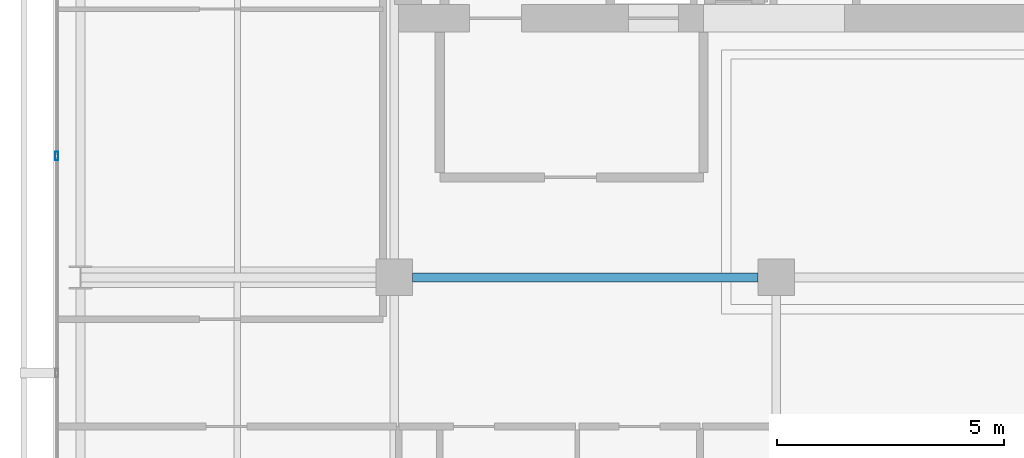
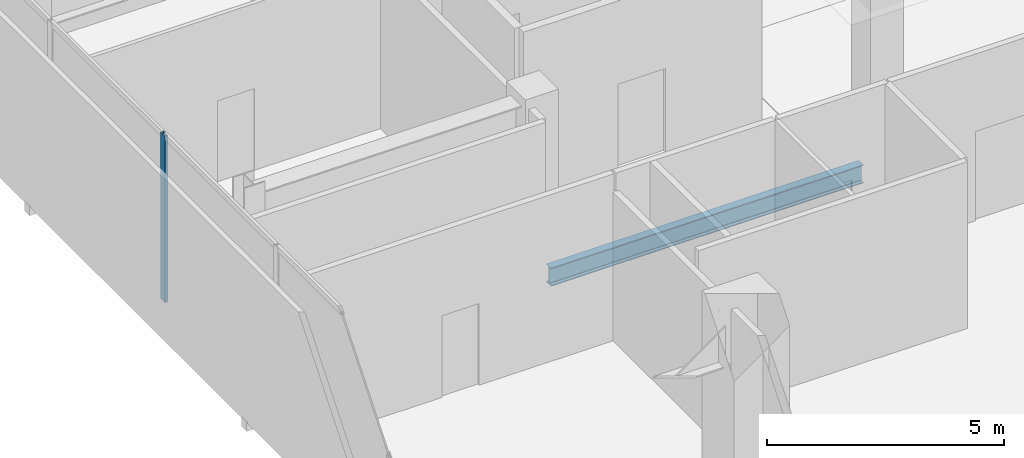
# One storey, part 8 of 23: 1 beam, 1 member, 1 element without a shape of its own.
"""IFC4 building model written with IfcOpenShell, lengths in metres."""

from ifc_helpers import new_model, si_unit, direction, frame, origin, origin_2d, place, context, subcontext, project, spatial, hollow_rectangle, i_section, extrude, material, layer, layer_set, material_profile, profile_set, type_object, element, aggregate, save


model = new_model("IFC4")

# Units and contexts
model_context = context("Model", 3, precision=1e-05, world=origin(), true_north=direction((0.0, 1.0)))
body_context = subcontext(model_context, "Body", "Model", "MODEL_VIEW")
ifc_project = project(units=[si_unit("LENGTHUNIT", "METRE"), si_unit("AREAUNIT", "SQUARE_METRE"), si_unit("VOLUMEUNIT", "CUBIC_METRE"), si_unit("PLANEANGLEUNIT", "RADIAN"), si_unit("MASSUNIT", "GRAM", prefix="KILO")], contexts=[model_context])

# Site, building, storey
site_placement = place(None, origin())
site = spatial("IfcSite", under=ifc_project, at=site_placement, CompositionType="ELEMENT")
building_placement = place(site_placement, origin())
building = spatial("IfcBuilding", under=site, at=building_placement, Name="Maruvema Waterfront Hotel and Observation Tower", CompositionType="ELEMENT")
storey_placement = place(building_placement, frame((0.0, 0.0, 349.64990234375)))
storey = spatial("IfcBuildingStorey", under=building, at=storey_placement, Name="L86", CompositionType="ELEMENT", Elevation=349.64990234375)

# Curtain wall, member
ifc_material_1 = material(Name="Anodised bronze aluminium and solar-control low-E IGU", Category="aluminium")
ifc_layer = layer(ifc_material_1, 0.159912109375, Name="Observation Crown Structural Glazed Curtain Wall System CW-06")
ifc_layer_set = layer_set([ifc_layer], Name="Anodised bronze aluminium and solar-control low-E IGU")
curtain_wall_type = type_object("IfcCurtainWallType", Name="Observation Crown Structural Glazed Curtain Wall System CW-06", PredefinedType="USERDEFINED", material=ifc_layer_set)
curtain_wall_placement = place(storey_placement, origin())
curtain_wall = element("IfcCurtainWall", 1, at=curtain_wall_placement, inside=storey, type_object=curtain_wall_type, Name="L86 Curtain Wall CW-L86-W", ObjectType="UNITISED CURTAIN WALL", PredefinedType="USERDEFINED")
ifc_material_2 = material(Name="Anodised architectural bronze aluminium", Category="aluminium")
ifc_material_profile_1 = material_profile(ifc_material_2, hollow_rectangle(XDim=0.070068359375, YDim=0.18994140625, WallThickness=0.00390625, at=origin_2d()), Name="ALU-M70x190")
ifc_profile_set_1 = profile_set([ifc_material_profile_1], Name="Anodised architectural bronze aluminium")
member_type = type_object("IfcMemberType", Name="Podium Storefront Heavy Mullion ALU-M70x190", PredefinedType="MULLION", material=ifc_profile_set_1)
member_placement = place(storey_placement, frame((17.780029296875, 38.666748046875, 0.0), z_axis=(0.0, 0.0, 1.0), x_axis=(1.0, 0.0, 0.0)))
member = element("IfcMember", 2, at=member_placement, type_object=member_type, Name="CW-06 mullion 3", PredefinedType="MULLION", context=body_context, shape_type="SweptSolid", body=[
    extrude(hollow_rectangle(XDim=0.070068359375, YDim=0.18994140625, WallThickness=0.00390625, at=origin_2d()), origin(), (0.0, 0.0, 1.0), 4.2900390625),
])
aggregate(curtain_wall, [member])

# Beam
ifc_material_3 = material(Name="Steel ASTM A572 Grade 50", Category="steel")
ifc_material_profile_2 = material_profile(ifc_material_3, i_section(OverallWidth=0.194091796875, OverallDepth=0.468994140625, WebThickness=0.0126953125, FlangeThickness=0.0205078125, FilletRadius=0.014892578125, at=origin_2d()), Name="W460x106.0")
ifc_profile_set_2 = profile_set([ifc_material_profile_2], Name="Steel ASTM A572 Grade 50")
beam_type = type_object("IfcBeamType", Name="Primary Floor Girder W460x106.0", PredefinedType="BEAM", material=ifc_profile_set_2)
beam_placement = place(storey_placement, frame((25.60009765625, 36.0, -0.474365234375), z_axis=(1.0, 0.0, 0.0), x_axis=(0.0, 1.0, 0.0)))
element("IfcBeam", 3, at=beam_placement, inside=storey, type_object=beam_type, Name="L86 Floor Girder EW-11", PredefinedType="BEAM", context=body_context, shape_type="SweptSolid", body=[
    extrude(i_section(OverallWidth=0.194091796875, OverallDepth=0.468994140625, WebThickness=0.0126953125, FlangeThickness=0.0205078125, FilletRadius=0.014892578125, at=origin_2d()), origin(), (0.0, 0.0, 1.0), 7.599853515625),
])

save(model, "model.ifc")
